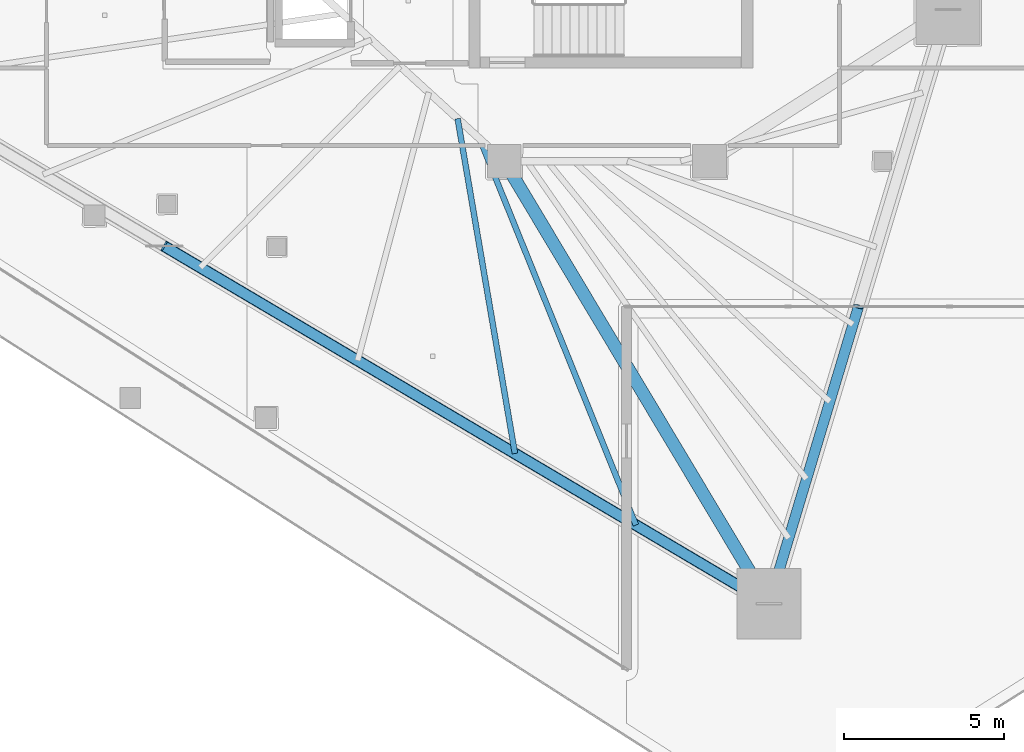
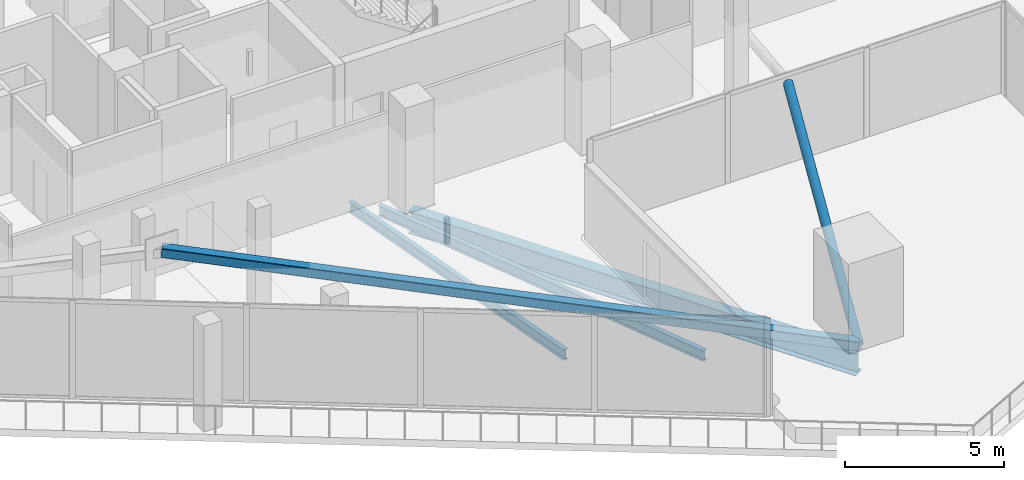
# One storey, part 9 of 43: 3 beams, 2 members.
"""IFC4 building model written with IfcOpenShell, lengths in metres."""

from ifc_helpers import new_model, si_unit, direction, frame, origin, origin_2d, place, context, subcontext, project, spatial, hollow_rectangle, hollow_circle, i_section, extrude, material, material_profile, profile_set, type_object, element, save


model = new_model("IFC4")

# Units and contexts
model_context = context("Model", 3, precision=1e-05, world=origin(), true_north=direction((0.0, 1.0)))
body_context = subcontext(model_context, "Body", "Model", "MODEL_VIEW")
ifc_project = project(units=[si_unit("LENGTHUNIT", "METRE"), si_unit("AREAUNIT", "SQUARE_METRE"), si_unit("VOLUMEUNIT", "CUBIC_METRE"), si_unit("PLANEANGLEUNIT", "RADIAN"), si_unit("MASSUNIT", "GRAM", prefix="KILO")], contexts=[model_context])

# Site, building, storey
site_placement = place(None, origin())
site = spatial("IfcSite", under=ifc_project, at=site_placement, CompositionType="ELEMENT")
building_placement = place(site_placement, origin())
building = spatial("IfcBuilding", under=site, at=building_placement, Name="Qorvath Tower", CompositionType="ELEMENT")
storey_placement = place(building_placement, frame((0.0, 0.0, 150.300048828125)))
storey = spatial("IfcBuildingStorey", under=building, at=storey_placement, Name="L34", CompositionType="ELEMENT", Elevation=150.300048828125)

# Beams
ifc_material_1 = material(Name="Steel ASTM A992 Grade 50", Category="steel")
ifc_material_profile_1 = material_profile(ifc_material_1, i_section(OverallWidth=0.39892578125, OverallDepth=0.85498046875, WebThickness=0.018310546875, FlangeThickness=0.029296875, FilletRadius=0.02001953125, at=origin_2d()), Name="W33x201")
ifc_profile_set_1 = profile_set([ifc_material_profile_1], Name="Steel ASTM A992 Grade 50")
beam_type_1 = type_object("IfcBeamType", Name="BM-FG2", PredefinedType="BEAM", material=ifc_profile_set_1)
beam_1_placement = place(storey_placement, frame((-23.60009765625, -11.449951171875, -0.697509765625), z_axis=(0.513497213955, -0.85809126045, 0.0), x_axis=(0.85809126045, 0.513497213955, 0.0)))
element("IfcBeam", 1, at=beam_1_placement, inside=storey, type_object=beam_type_1, Name="Radial Floor Girder CC4-MC3 L34", PredefinedType="BEAM", context=body_context, shape_type="SweptSolid", body=[
    extrude(i_section(OverallWidth=0.39892578125, OverallDepth=0.85498046875, WebThickness=0.018310546875, FlangeThickness=0.029296875, FilletRadius=0.02001953125, at=origin_2d()), origin(), (0.0, 0.0, 1.0), 16.07763671875),
])
ifc_material_2 = material(Name="Steel ASTM A992 Grade 50", Category="steel")
ifc_material_profile_2 = material_profile(ifc_material_2, i_section(OverallWidth=0.177978515625, OverallDepth=0.406005859375, WebThickness=0.0078125, FlangeThickness=0.0126953125, FilletRadius=0.010986328125, at=origin_2d()), Name="W16x40")
ifc_profile_set_2 = profile_set([ifc_material_profile_2], Name="Steel ASTM A992 Grade 50")
beam_type_2 = type_object("IfcBeamType", Name="BM-FJ3", PredefinedType="JOIST", material=ifc_profile_set_2)
beam_2_placement = place(storey_placement, frame((-25.049072265625, -10.126953125, -0.47314453125), z_axis=(0.168745594245, -0.985659639238, 0.0), x_axis=(0.985659639238, 0.168745594245, 0.0)))
element("IfcBeam", 2, at=beam_2_placement, inside=storey, type_object=beam_type_2, Name="Composite Floor Joist SW6 L34", PredefinedType="JOIST", context=body_context, shape_type="SweptSolid", body=[
    extrude(i_section(OverallWidth=0.177978515625, OverallDepth=0.406005859375, WebThickness=0.0078125, FlangeThickness=0.0126953125, FilletRadius=0.010986328125, at=origin_2d()), origin(), (0.0, 0.0, 1.0), 10.589111328125),
])
beam_3_placement = place(storey_placement, frame((-24.35888671875, -10.757080078125, -0.47314453125), z_axis=(0.37487652097, -0.927074751045, 0.0), x_axis=(0.927074751045, 0.37487652097, 0.0)))
element("IfcBeam", 3, at=beam_3_placement, inside=storey, type_object=beam_type_2, Name="Composite Floor Joist SW7 L34", PredefinedType="JOIST", context=body_context, shape_type="SweptSolid", body=[
    extrude(i_section(OverallWidth=0.177978515625, OverallDepth=0.406005859375, WebThickness=0.0078125, FlangeThickness=0.0126953125, FilletRadius=0.010986328125, at=origin_2d()), origin(), (0.0, 0.0, 1.0), 12.9833984375),
])

# Members
ifc_material_3 = material(Name="Steel ASTM A500 Grade C", Category="steel")
ifc_material_profile_3 = material_profile(ifc_material_3, hollow_rectangle(XDim=0.355712890625, YDim=0.355712890625, WallThickness=0.015869140625, InnerFilletRadius=0.015869140625, OuterFilletRadius=0.03173828125, at=origin_2d()), Name="HSS 356x356x16")
ifc_profile_set_3 = profile_set([ifc_material_profile_3], Name="Steel ASTM A500 Grade C")
member_type_1 = type_object("IfcMemberType", Name="MEM-MB2", PredefinedType="BRACE", material=ifc_profile_set_3)
member_1_placement = place(storey_placement, frame((-15.34423828125, -25.24609375, 0.0), z_axis=(-0.850410115142, 0.502856465521, 0.154719136333), x_axis=(-0.508985415689, -0.860775142889, 0.0)))
element("IfcMember", 4, at=member_1_placement, inside=storey, type_object=member_type_1, Name="Perimeter Chevron Brace L34-2B", PredefinedType="BRACE", context=body_context, shape_type="SweptSolid", body=[
    extrude(hollow_rectangle(XDim=0.355712890625, YDim=0.355712890625, WallThickness=0.015869140625, InnerFilletRadius=0.015869140625, OuterFilletRadius=0.03173828125, at=origin_2d()), origin(), (0.0, 0.0, 1.0), 22.168701171875),
])
ifc_material_4 = material(Name="Steel ASTM A500 Grade C", Category="steel")
ifc_material_profile_4 = material_profile(ifc_material_4, hollow_circle(Radius=0.161865234375, WallThickness=0.0126953125, at=origin_2d()), Name="CHS 324x12.7")
ifc_profile_set_4 = profile_set([ifc_material_profile_4], Name="Steel ASTM A500 Grade C")
member_type_2 = type_object("IfcMemberType", Name="MEM-ST1", PredefinedType="STRUT", material=ifc_profile_set_4)
member_2_placement = place(storey_placement, frame((-15.34423828125, -25.24609375, 0.0), z_axis=(0.271573525347, 0.902525225837, 0.334209570568), x_axis=(-0.957587679228, 0.288142042386, 0.0)))
element("IfcMember", 5, at=member_2_placement, inside=storey, type_object=member_type_2, Name="Sky Garden Corner Strut L34-A", PredefinedType="STRUT", context=body_context, shape_type="SweptSolid", body=[
    extrude(hollow_circle(Radius=0.161865234375, WallThickness=0.0126953125, at=origin_2d()), origin(), (0.0, 0.0, 1.0), 10.2626953125),
])

save(model, "model.ifc")
